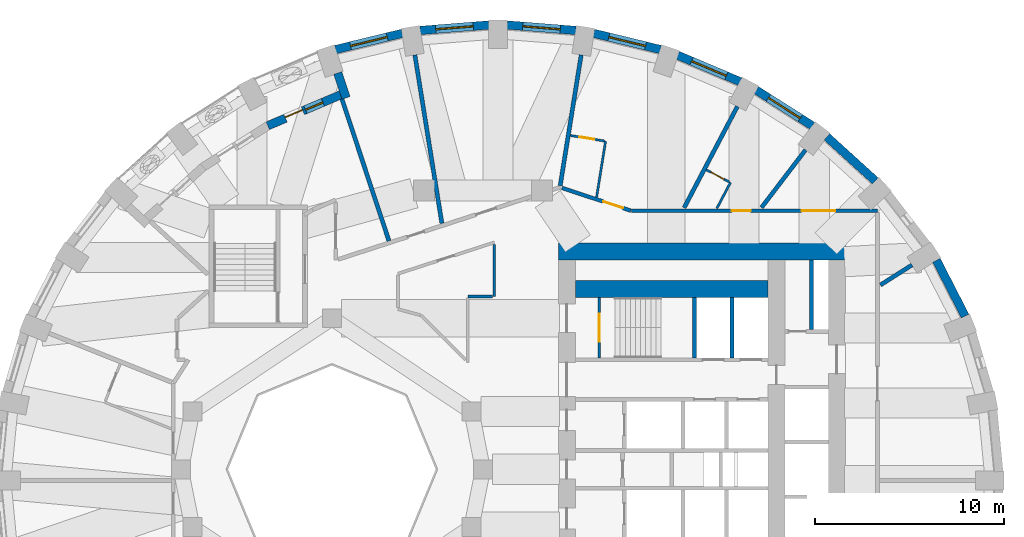
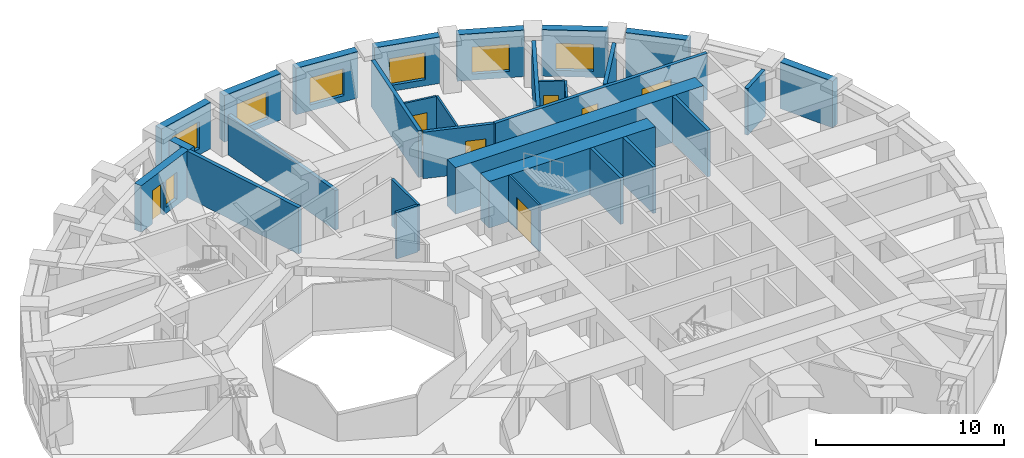
# One storey, part 8 of 12: 30 walls, 7 doors, 7 windows, 14 openings.
"""IFC4 building model written with IfcOpenShell, lengths in metres."""

from ifc_helpers import new_model, si_unit, direction, frame, frame_2d, origin, place, context, subcontext, project, spatial, rectangle, extrude, material, layer, layer_set, type_object, element, fill, save


model = new_model("IFC4")

# Units and contexts
model_context = context("Model", 3, precision=1e-05, world=origin(), true_north=direction((0.0, 1.0)))
body_context = subcontext(model_context, "Body", "Model", "MODEL_VIEW")
ifc_project = project(units=[si_unit("LENGTHUNIT", "METRE"), si_unit("AREAUNIT", "SQUARE_METRE"), si_unit("VOLUMEUNIT", "CUBIC_METRE"), si_unit("PLANEANGLEUNIT", "RADIAN"), si_unit("MASSUNIT", "GRAM", prefix="KILO")], contexts=[model_context])

# Site, building, storey
site_placement = place(None, origin())
site = spatial("IfcSite", under=ifc_project, at=site_placement, CompositionType="ELEMENT")
building_placement = place(site_placement, origin())
building = spatial("IfcBuilding", under=site, at=building_placement, Name="Taillehof Tower", CompositionType="ELEMENT")
storey_placement = place(building_placement, frame((0.0, 0.0, 118.60009765625)))
storey = spatial("IfcBuildingStorey", under=building, at=storey_placement, Name="L33", CompositionType="ELEMENT", Elevation=118.60009765625)

# Walls
ifc_material_1 = material(Name="Brick masonry", Category="masonry")
ifc_layer_1 = layer(ifc_material_1, 0.449951171875)
ifc_layer_set_1 = layer_set([ifc_layer_1], Name="Brick infill wall 450")
wall_type_1 = type_object("IfcWallType", Name="Brick infill wall 450", PredefinedType="SOLIDWALL", material=ifc_layer_set_1)
wall_1_placement = place(storey_placement, frame((25.545166015625, 8.1123046875, 0.0), z_axis=(0.0, 0.0, 1.0), x_axis=(-0.456828186229, 0.889554949549, 0.0)))
element("IfcWall", 1, at=wall_1_placement, inside=storey, type_object=wall_type_1, Name="Brick wall L33 bay 3", PredefinedType="SOLIDWALL", context=body_context, shape_type="SweptSolid", body=[
    extrude(rectangle(XDim=3.332763671875, YDim=0.449951171875, at=frame_2d((1.66650390625, 0.0))), origin(), (0.0, 0.0, 1.0), 3.02001953125),
])
wall_2_placement = place(storey_placement, frame((20.783935546875, 15.281005859375, 0.0), z_axis=(0.0, 0.0, 1.0), x_axis=(-0.74032902847, 0.672244694739, 0.0)))
element("IfcWall", 2, at=wall_2_placement, inside=storey, type_object=wall_type_1, Name="Brick wall L33 bay 5", PredefinedType="SOLIDWALL", context=body_context, shape_type="SweptSolid", body=[
    extrude(rectangle(XDim=3.4638671875, YDim=0.449951171875, at=frame_2d((1.73193359375, 0.0))), origin(), (0.0, 0.0, 1.0), 3.02001953125),
])

# Wall, opening, window
wall_3_placement = place(storey_placement, frame((17.456298828125, 18.19189453125, 0.0), z_axis=(0.0, 0.0, 1.0), x_axis=(-0.843880549131, 0.536531097699, 0.0)))
wall_3 = element("IfcWall", 3, at=wall_3_placement, inside=storey, type_object=wall_type_1, Name="Brick wall L33 bay 6", PredefinedType="SOLIDWALL", context=body_context, shape_type="SweptSolid", body=[
    extrude(rectangle(XDim=3.532470703125, YDim=0.449951171875, at=frame_2d((1.76611328125, 0.0))), origin(), (0.0, 0.0, 1.0), 3.02001953125),
])
opening_1_placement = place(wall_3_placement, frame((0.76611328125, 0.0, 0.39990234375)))
opening_1 = element("IfcOpeningElement", 4, at=opening_1_placement, cuts=wall_3, Name="Opening W2", PredefinedType="OPENING", context=body_context, shape_type="SweptSolid", body=[
    extrude(rectangle(XDim=2.0, YDim=1.75, at=frame_2d((1.0, 0.875))), frame((0.0, 0.23486328125, 0.0), z_axis=(0.0, -1.0, 0.0), x_axis=(1.0, 0.0, 0.0)), (0.0, 0.0, 1.0), 0.469970703125),
])
ifc_material_2 = material(Name="Aluminium window frame with clear double glazing", Category="aluminium")
window_type_1 = type_object("IfcWindowType", Name="Deep-set window 2000x1750", PartitioningType="SINGLE_PANEL", PredefinedType="WINDOW", material=ifc_material_2)
window_1_placement = place(opening_1_placement, origin())
window_1 = element("IfcWindow", 5, at=window_1_placement, inside=storey, type_object=window_type_1, Name="W2", OverallHeight=1.75, OverallWidth=2.0, PartitioningType="SINGLE_PANEL", PredefinedType="WINDOW", context=body_context, shape_type="SweptSolid", body=[
    extrude(rectangle(XDim=2.0, YDim=1.75, at=frame_2d((1.0, 0.875))), frame((0.0, 0.034912109375, 0.0), z_axis=(0.0, -1.0, 0.0), x_axis=(1.0, 0.0, 0.0)), (0.0, 0.0, 1.0), 0.06005859375),
])
fill(opening_1, window_1)

wall_4_placement = place(storey_placement, frame((13.625244140625, 20.533447265625, 0.0), z_axis=(0.0, 0.0, 1.0), x_axis=(-0.920869643542, 0.389870619055, 0.0)))
wall_4 = element("IfcWall", 6, at=wall_4_placement, inside=storey, type_object=wall_type_1, Name="Brick wall L33 bay 7", PredefinedType="SOLIDWALL", context=body_context, shape_type="SweptSolid", body=[
    extrude(rectangle(XDim=3.59130859375, YDim=0.449951171875, at=frame_2d((1.795654296875, 0.0))), origin(), (0.0, 0.0, 1.0), 3.02001953125),
])
opening_2_placement = place(wall_4_placement, frame((0.795654296875, 0.0, 0.39990234375)))
opening_2 = element("IfcOpeningElement", 7, at=opening_2_placement, cuts=wall_4, Name="Opening W2", PredefinedType="OPENING", context=body_context, shape_type="SweptSolid", body=[
    extrude(rectangle(XDim=2.0, YDim=1.75, at=frame_2d((1.0, 0.875))), frame((0.0, 0.23486328125, 0.0), z_axis=(0.0, -1.0, 0.0), x_axis=(1.0, 0.0, 0.0)), (0.0, 0.0, 1.0), 0.469970703125),
])
window_2_placement = place(opening_2_placement, origin())
window_2 = element("IfcWindow", 8, at=window_2_placement, inside=storey, type_object=window_type_1, Name="W2", OverallHeight=1.75, OverallWidth=2.0, PartitioningType="SINGLE_PANEL", PredefinedType="WINDOW", context=body_context, shape_type="SweptSolid", body=[
    extrude(rectangle(XDim=2.0, YDim=1.75, at=frame_2d((1.0, 0.875))), frame((0.0, 0.034912109375, 0.0), z_axis=(0.0, -1.0, 0.0), x_axis=(1.0, 0.0, 0.0)), (0.0, 0.0, 1.0), 0.06005859375),
])
fill(opening_2, window_2)

wall_5_placement = place(storey_placement, frame((9.406494140625, 22.2353515625, 0.0), z_axis=(0.0, 0.0, 1.0), x_axis=(-0.971667603162, 0.236351579148, 0.0)))
wall_5 = element("IfcWall", 9, at=wall_5_placement, inside=storey, type_object=wall_type_1, Name="Brick wall L33 bay 8", PredefinedType="SOLIDWALL", context=body_context, shape_type="SweptSolid", body=[
    extrude(rectangle(XDim=3.635009765625, YDim=0.449951171875, at=frame_2d((1.8173828125, 0.0))), origin(), (0.0, 0.0, 1.0), 3.02001953125),
])
opening_3_placement = place(wall_5_placement, frame((0.8173828125, 0.0, 0.39990234375)))
opening_3 = element("IfcOpeningElement", 10, at=opening_3_placement, cuts=wall_5, Name="Opening W2", PredefinedType="OPENING", context=body_context, shape_type="SweptSolid", body=[
    extrude(rectangle(XDim=2.0, YDim=1.75, at=frame_2d((1.0, 0.875))), frame((0.0, 0.23486328125, 0.0), z_axis=(0.0, -1.0, 0.0), x_axis=(1.0, 0.0, 0.0)), (0.0, 0.0, 1.0), 0.469970703125),
])
window_3_placement = place(opening_3_placement, origin())
window_3 = element("IfcWindow", 11, at=window_3_placement, inside=storey, type_object=window_type_1, Name="W2", OverallHeight=1.75, OverallWidth=2.0, PartitioningType="SINGLE_PANEL", PredefinedType="WINDOW", context=body_context, shape_type="SweptSolid", body=[
    extrude(rectangle(XDim=2.0, YDim=1.75, at=frame_2d((1.0, 0.875))), frame((0.0, 0.034912109375, 0.0), z_axis=(0.0, -1.0, 0.0), x_axis=(1.0, 0.0, 0.0)), (0.0, 0.0, 1.0), 0.06005859375),
])
fill(opening_3, window_3)

wall_6_placement = place(storey_placement, frame((4.926513671875, 23.24658203125, 0.0), z_axis=(0.0, 0.0, 1.0), x_axis=(-0.996862216754, 0.079156306178, 0.0)))
wall_6 = element("IfcWall", 12, at=wall_6_placement, inside=storey, type_object=wall_type_1, Name="Brick wall L33 bay 9", PredefinedType="SOLIDWALL", context=body_context, shape_type="SweptSolid", body=[
    extrude(rectangle(XDim=3.657958984375, YDim=0.449951171875, at=frame_2d((1.8291015625, 0.0))), origin(), (0.0, 0.0, 1.0), 3.02001953125),
])
opening_4_placement = place(wall_6_placement, frame((0.8291015625, 0.0, 0.39990234375)))
opening_4 = element("IfcOpeningElement", 13, at=opening_4_placement, cuts=wall_6, Name="Opening W2", PredefinedType="OPENING", context=body_context, shape_type="SweptSolid", body=[
    extrude(rectangle(XDim=2.0, YDim=1.75, at=frame_2d((1.0, 0.875))), frame((0.0, 0.23486328125, 0.0), z_axis=(0.0, -1.0, 0.0), x_axis=(1.0, 0.0, 0.0)), (0.0, 0.0, 1.0), 0.469970703125),
])
window_4_placement = place(opening_4_placement, origin())
window_4 = element("IfcWindow", 14, at=window_4_placement, inside=storey, type_object=window_type_1, Name="W2", OverallHeight=1.75, OverallWidth=2.0, PartitioningType="SINGLE_PANEL", PredefinedType="WINDOW", context=body_context, shape_type="SweptSolid", body=[
    extrude(rectangle(XDim=2.0, YDim=1.75, at=frame_2d((1.0, 0.875))), frame((0.0, 0.034912109375, 0.0), z_axis=(0.0, -1.0, 0.0), x_axis=(1.0, 0.0, 0.0)), (0.0, 0.0, 1.0), 0.06005859375),
])
fill(opening_4, window_4)

wall_7_placement = place(storey_placement, frame((0.31982421875, 23.5361328125, 0.0), z_axis=(0.0, 0.0, 1.0), x_axis=(-0.996862216754, -0.079156306178, 0.0)))
wall_7 = element("IfcWall", 15, at=wall_7_placement, inside=storey, type_object=wall_type_1, Name="Brick wall L33 bay 10", PredefinedType="SOLIDWALL", context=body_context, shape_type="SweptSolid", body=[
    extrude(rectangle(XDim=3.657958984375, YDim=0.449951171875, at=frame_2d((1.8291015625, 0.0))), origin(), (0.0, 0.0, 1.0), 3.02001953125),
])
opening_5_placement = place(wall_7_placement, frame((0.8291015625, 0.0, 0.39990234375)))
opening_5 = element("IfcOpeningElement", 16, at=opening_5_placement, cuts=wall_7, Name="Opening W2", PredefinedType="OPENING", context=body_context, shape_type="SweptSolid", body=[
    extrude(rectangle(XDim=2.0, YDim=1.75, at=frame_2d((1.0, 0.875))), frame((0.0, 0.23486328125, 0.0), z_axis=(0.0, -1.0, 0.0), x_axis=(1.0, 0.0, 0.0)), (0.0, 0.0, 1.0), 0.469970703125),
])
window_5_placement = place(opening_5_placement, origin())
window_5 = element("IfcWindow", 17, at=window_5_placement, inside=storey, type_object=window_type_1, Name="W2", OverallHeight=1.75, OverallWidth=2.0, PartitioningType="SINGLE_PANEL", PredefinedType="WINDOW", context=body_context, shape_type="SweptSolid", body=[
    extrude(rectangle(XDim=2.0, YDim=1.75, at=frame_2d((1.0, 0.875))), frame((0.0, 0.034912109375, 0.0), z_axis=(0.0, -1.0, 0.0), x_axis=(1.0, 0.0, 0.0)), (0.0, 0.0, 1.0), 0.06005859375),
])
fill(opening_5, window_5)

wall_8_placement = place(storey_placement, frame((-4.274658203125, 23.094482421875, 0.0), z_axis=(0.0, 0.0, 1.0), x_axis=(-0.971667603162, -0.236351579148, 0.0)))
wall_8 = element("IfcWall", 18, at=wall_8_placement, inside=storey, type_object=wall_type_1, Name="Brick wall L33 bay 11", PredefinedType="SOLIDWALL", context=body_context, shape_type="SweptSolid", body=[
    extrude(rectangle(XDim=3.635009765625, YDim=0.449951171875, at=frame_2d((1.8173828125, 0.0))), origin(), (0.0, 0.0, 1.0), 3.02001953125),
])
opening_6_placement = place(wall_8_placement, frame((0.8173828125, 0.0, 0.39990234375)))
opening_6 = element("IfcOpeningElement", 19, at=opening_6_placement, cuts=wall_8, Name="Opening W2", PredefinedType="OPENING", context=body_context, shape_type="SweptSolid", body=[
    extrude(rectangle(XDim=2.0, YDim=1.75, at=frame_2d((1.0, 0.875))), frame((0.0, 0.23486328125, 0.0), z_axis=(0.0, -1.0, 0.0), x_axis=(1.0, 0.0, 0.0)), (0.0, 0.0, 1.0), 0.469970703125),
])
window_6_placement = place(opening_6_placement, origin())
window_6 = element("IfcWindow", 20, at=window_6_placement, inside=storey, type_object=window_type_1, Name="W2", OverallHeight=1.75, OverallWidth=2.0, PartitioningType="SINGLE_PANEL", PredefinedType="WINDOW", context=body_context, shape_type="SweptSolid", body=[
    extrude(rectangle(XDim=2.0, YDim=1.75, at=frame_2d((1.0, 0.875))), frame((0.0, 0.034912109375, 0.0), z_axis=(0.0, -1.0, 0.0), x_axis=(1.0, 0.0, 0.0)), (0.0, 0.0, 1.0), 0.06005859375),
])
fill(opening_6, window_6)

# Wall
wall_9_placement = place(storey_placement, frame((-7.68701171875, 20.99462890625, 0.0), z_axis=(0.0, 0.0, 1.0), x_axis=(0.314541283205, -0.949243794375, 0.0)))
element("IfcWall", 21, at=wall_9_placement, inside=storey, type_object=wall_type_1, Name="Brick reveal L33 pocket 3", PredefinedType="SOLIDWALL", context=body_context, shape_type="SweptSolid", body=[
    extrude(rectangle(XDim=1.39013671875, YDim=0.449951171875, at=frame_2d((0.695068359375, 0.0))), origin(), (0.0, 0.0, 1.0), 3.02001953125),
])

# Wall, openings, door, window
wall_10_placement = place(storey_placement, frame((-7.540283203125, 19.8359375, 0.0), z_axis=(0.0, 0.0, 1.0), x_axis=(-0.920502375708, -0.390736965637, 0.0)))
wall_10 = element("IfcWall", 22, at=wall_10_placement, inside=storey, type_object=wall_type_1, Name="Brick wall L33 pocket bay 12", PredefinedType="SOLIDWALL", context=body_context, shape_type="SweptSolid", body=[
    extrude(rectangle(XDim=4.188232421875, YDim=0.449951171875, at=frame_2d((2.09423828125, 0.0))), origin(), (0.0, 0.0, 1.0), 3.02001953125),
])
opening_7_placement = place(wall_10_placement, frame((1.01904296875, 0.0, 0.39990234375)))
opening_7 = element("IfcOpeningElement", 23, at=opening_7_placement, cuts=wall_10, Name="Opening W5", PredefinedType="OPENING", context=body_context, shape_type="SweptSolid", body=[
    extrude(rectangle(XDim=1.0, YDim=1.75, at=frame_2d((0.5, 0.875))), frame((0.0, 0.23486328125, 0.0), z_axis=(0.0, -1.0, 0.0), x_axis=(1.0, 0.0, 0.0)), (0.0, 0.0, 1.0), 0.469970703125),
])
opening_8_placement = place(wall_10_placement, frame((2.169189453125, 0.0, 0.0)))
opening_8 = element("IfcOpeningElement", 24, at=opening_8_placement, cuts=wall_10, Name="Opening D3394", PredefinedType="OPENING", context=body_context, shape_type="SweptSolid", body=[
    extrude(rectangle(XDim=1.0, YDim=2.14990234375, at=frame_2d((0.5, 1.074951171875))), frame((0.0, 0.23486328125, 0.0), z_axis=(0.0, -1.0, 0.0), x_axis=(1.0, 0.0, 0.0)), (0.0, 0.0, 1.0), 0.469970703125),
])
ifc_material_3 = material(Name="Aluminium door frame with clear double glazing", Category="aluminium")
door_type_1 = type_object("IfcDoorType", Name="Balcony door 1000x2150", OperationType="SINGLE_SWING_RIGHT", PredefinedType="DOOR", material=ifc_material_3)
door_1_placement = place(opening_8_placement, frame((1.0, 0.0, 0.0), z_axis=(0.0, 0.0, 1.0), x_axis=(-1.0, 0.0, 0.0)))
door_1 = element("IfcDoor", 25, at=door_1_placement, inside=storey, type_object=door_type_1, Name="Balcony door L33 bay 12", OperationType="SINGLE_SWING_RIGHT", OverallHeight=2.14990234375, OverallWidth=1.0, PredefinedType="DOOR", context=body_context, shape_type="SweptSolid", body=[
    extrude(rectangle(XDim=1.0, YDim=2.14990234375, at=frame_2d((0.5, 1.074951171875))), frame((0.0, 0.0751953125, 0.0), z_axis=(0.0, -1.0, 0.0), x_axis=(1.0, 0.0, 0.0)), (0.0, 0.0, 1.0), 0.050048828125),
])
fill(opening_8, door_1)
ifc_material_4 = material(Name="Aluminium window frame with clear double glazing", Category="aluminium")
window_type_2 = type_object("IfcWindowType", Name="Fixed window 1000x1750", PartitioningType="SINGLE_PANEL", PredefinedType="WINDOW", material=ifc_material_4)
window_7_placement = place(opening_7_placement, origin())
window_7 = element("IfcWindow", 26, at=window_7_placement, inside=storey, type_object=window_type_2, Name="W5", OverallHeight=1.75, OverallWidth=1.0, PartitioningType="SINGLE_PANEL", PredefinedType="WINDOW", context=body_context, shape_type="SweptSolid", body=[
    extrude(rectangle(XDim=1.0, YDim=1.75, at=frame_2d((0.5, 0.875))), frame((0.0, 0.034912109375, 0.0), z_axis=(0.0, -1.0, 0.0), x_axis=(1.0, 0.0, 0.0)), (0.0, 0.0, 1.0), 0.06005859375),
])
fill(opening_7, window_7)

# Wall
ifc_material_5 = material(Name="Calcium silicate masonry", Category="masonry")
ifc_layer_2 = layer(ifc_material_5, 0.199951171875)
ifc_layer_set_2 = layer_set([ifc_layer_2], Name="Compartment wall calcium silicate 200")
wall_type_2 = type_object("IfcWallType", Name="Compartment wall calcium silicate 200", PredefinedType="PARTITIONING", material=ifc_layer_set_2)
wall_11_placement = place(storey_placement, frame((17.39990234375, 7.39990234375, 0.0), z_axis=(0.0, 0.0, 1.0), x_axis=(0.0, 1.0, 0.0)))
element("IfcWall", 27, at=wall_11_placement, inside=storey, type_object=wall_type_2, Name="Compartment wall FW", PredefinedType="PARTITIONING", context=body_context, shape_type="SweptSolid", body=[
    extrude(rectangle(XDim=3.7001953125, YDim=0.199951171875, at=frame_2d((1.85009765625, 0.0))), origin(), (0.0, 0.0, 1.0), 3.02001953125),
])

# Wall, opening, door
ifc_material_6 = material(Name="Gypsum board on steel studs, two layers each side", Category="steel")
ifc_layer_3 = layer(ifc_material_6, 0.199951171875)
ifc_layer_set_3 = layer_set([ifc_layer_3], Name="Compartment wall corridor 200")
wall_type_3 = type_object("IfcWallType", Name="Compartment wall corridor 200", PredefinedType="PARTITIONING", material=ifc_layer_set_3)
wall_12_placement = place(storey_placement, frame((4.185791015625, 14.90625, 0.0), z_axis=(0.0, 0.0, 1.0), x_axis=(0.94947428881, -0.313844826131, 0.0)))
wall_12 = element("IfcWall", 28, at=wall_12_placement, inside=storey, type_object=wall_type_3, Name="Compartment wall", PredefinedType="PARTITIONING", context=body_context, shape_type="SweptSolid", body=[
    extrude(rectangle(XDim=3.843505859375, YDim=0.199951171875, at=frame_2d((1.921875, 0.0))), origin(), (0.0, 0.0, 1.0), 3.02001953125),
])
opening_9_placement = place(wall_12_placement, frame((2.29833984375, 0.0, 0.0)))
opening_9 = element("IfcOpeningElement", 29, at=opening_9_placement, cuts=wall_12, Name="Opening D3342", PredefinedType="OPENING", context=body_context, shape_type="SweptSolid", body=[
    extrude(rectangle(XDim=1.10009765625, YDim=2.10009765625, at=frame_2d((0.550048828125, 1.050048828125))), frame((0.0, 0.10986328125, 0.0), z_axis=(0.0, -1.0, 0.0), x_axis=(1.0, 0.0, 0.0)), (0.0, 0.0, 1.0), 0.219970703125),
])
ifc_material_7 = material(Name="Timber door leaf in steel frame", Category="steel")
door_type_2 = type_object("IfcDoorType", Name="Suite entrance door EI 30 1100 x 2100", OperationType="SINGLE_SWING_LEFT", PredefinedType="DOOR", material=ifc_material_7)
door_2_placement = place(opening_9_placement, origin())
door_2 = element("IfcDoor", 30, at=door_2_placement, inside=storey, type_object=door_type_2, Name="D3342", OperationType="SINGLE_SWING_LEFT", OverallHeight=2.10009765625, OverallWidth=1.10009765625, PredefinedType="DOOR", context=body_context, shape_type="SweptSolid", body=[
    extrude(rectangle(XDim=1.10009765625, YDim=2.10009765625, at=frame_2d((0.550048828125, 1.050048828125))), frame((0.0, 0.02490234375, 0.0), z_axis=(0.0, -1.0, 0.0), x_axis=(1.0, 0.0, 0.0)), (0.0, 0.0, 1.0), 0.050048828125),
])
fill(opening_9, door_2)

# Wall, openings, doors
wall_13_placement = place(storey_placement, frame((7.875244140625, 13.699951171875, 0.0), z_axis=(0.0, 0.0, 1.0), x_axis=(1.0, 0.0, 0.0)))
wall_13 = element("IfcWall", 31, at=wall_13_placement, inside=storey, type_object=wall_type_3, Name="Compartment wall", PredefinedType="PARTITIONING", context=body_context, shape_type="SweptSolid", body=[
    extrude(rectangle(XDim=13.024658203125, YDim=0.199951171875, at=frame_2d((6.51220703125, 0.0))), origin(), (0.0, 0.0, 1.0), 3.02001953125),
])
opening_10_placement = place(wall_13_placement, frame((5.310546875, 0.0, 0.0)))
opening_10 = element("IfcOpeningElement", 32, at=opening_10_placement, cuts=wall_13, Name="Opening D3340", PredefinedType="OPENING", context=body_context, shape_type="SweptSolid", body=[
    extrude(rectangle(XDim=1.0, YDim=2.10009765625, at=frame_2d((0.5, 1.050048828125))), frame((0.0, 0.10986328125, 0.0), z_axis=(0.0, -1.0, 0.0), x_axis=(1.0, 0.0, 0.0)), (0.0, 0.0, 1.0), 0.219970703125),
])
opening_11_placement = place(wall_13_placement, frame((8.999755859375, 0.0, 0.0)))
opening_11 = element("IfcOpeningElement", 33, at=opening_11_placement, cuts=wall_13, Name="Opening D3365", PredefinedType="OPENING", context=body_context, shape_type="SweptSolid", body=[
    extrude(rectangle(XDim=1.800048828125, YDim=2.10009765625, at=frame_2d((0.89990234375, 1.050048828125))), frame((0.0, 0.10986328125, 0.0), z_axis=(0.0, -1.0, 0.0), x_axis=(1.0, 0.0, 0.0)), (0.0, 0.0, 1.0), 0.219970703125),
])
ifc_material_8 = material(Name="Timber door leaf in steel frame", Category="steel")
door_type_3 = type_object("IfcDoorType", Name="Guest room door EI 30 1000 x 2100", OperationType="SINGLE_SWING_LEFT", PredefinedType="DOOR", material=ifc_material_8)
door_3_placement = place(opening_10_placement, origin())
door_3 = element("IfcDoor", 34, at=door_3_placement, inside=storey, type_object=door_type_3, Name="D3340", OperationType="SINGLE_SWING_RIGHT", OverallHeight=2.10009765625, OverallWidth=1.0, PredefinedType="DOOR", context=body_context, shape_type="SweptSolid", body=[
    extrude(rectangle(XDim=1.0, YDim=2.10009765625, at=frame_2d((0.5, 1.050048828125))), frame((0.0, 0.02490234375, 0.0), z_axis=(0.0, -1.0, 0.0), x_axis=(1.0, 0.0, 0.0)), (0.0, 0.0, 1.0), 0.050048828125),
])
fill(opening_10, door_3)
ifc_material_9 = material(Name="Timber door leaf in steel frame", Category="steel")
door_type_4 = type_object("IfcDoorType", Name="Lounge and meeting room double door EI 30 1800 x 2100", OperationType="SINGLE_SWING_LEFT", PredefinedType="DOOR", material=ifc_material_9)
door_4_placement = place(opening_11_placement, origin())
door_4 = element("IfcDoor", 35, at=door_4_placement, inside=storey, type_object=door_type_4, Name="D3365", OperationType="DOUBLE_DOOR_SINGLE_SWING", OverallHeight=2.10009765625, OverallWidth=1.800048828125, PredefinedType="DOOR", context=body_context, shape_type="SweptSolid", body=[
    extrude(rectangle(XDim=1.800048828125, YDim=2.10009765625, at=frame_2d((0.89990234375, 1.050048828125))), frame((0.0, 0.02490234375, 0.0), z_axis=(0.0, -1.0, 0.0), x_axis=(1.0, 0.0, 0.0)), (0.0, 0.0, 1.0), 0.050048828125),
])
fill(opening_11, door_4)

# Walls
ifc_material_10 = material(Name="Gypsum board on double steel studs with mineral wool", Category="steel")
ifc_layer_4 = layer(ifc_material_10, 0.219970703125)
ifc_layer_set_4 = layer_set([ifc_layer_4], Name="Compartment wall guest room 220")
wall_type_4 = type_object("IfcWallType", Name="Compartment wall guest room 220", PredefinedType="PARTITIONING", material=ifc_layer_set_4)
wall_14_placement = place(storey_placement, frame((22.7265625, 10.8232421875, 0.0), z_axis=(0.0, 0.0, 1.0), x_axis=(-0.844587282199, -0.535417895431, 0.0)))
element("IfcWall", 36, at=wall_14_placement, inside=storey, type_object=wall_type_4, Name="Compartment wall", PredefinedType="PARTITIONING", context=body_context, shape_type="SweptSolid", body=[
    extrude(rectangle(XDim=1.984375, YDim=0.219970703125, at=frame_2d((0.9921875, 0.0))), origin(), (0.0, 0.0, 1.0), 3.02001953125),
])
wall_15_placement = place(storey_placement, frame((17.08935546875, 16.9208984375, 0.0), z_axis=(0.0, 0.0, 1.0), x_axis=(-0.607033117359, -0.794676534465, 0.0)))
element("IfcWall", 37, at=wall_15_placement, inside=storey, type_object=wall_type_4, Name="Compartment wall", PredefinedType="PARTITIONING", context=body_context, shape_type="SweptSolid", body=[
    extrude(rectangle(XDim=3.847412109375, YDim=0.219970703125, at=frame_2d((1.923828125, 0.0))), origin(), (0.0, 0.0, 1.0), 3.02001953125),
])
wall_16_placement = place(storey_placement, frame((13.47607421875, 19.217529296875, 0.0), z_axis=(0.0, 0.0, 1.0), x_axis=(-0.465346231977, -0.885128738876, 0.0)))
element("IfcWall", 38, at=wall_16_placement, inside=storey, type_object=wall_type_4, Name="Compartment wall", PredefinedType="PARTITIONING", context=body_context, shape_type="SweptSolid", body=[
    extrude(rectangle(XDim=6.06005859375, YDim=0.219970703125, at=frame_2d((3.030029296875, 0.0))), origin(), (0.0, 0.0, 1.0), 3.02001953125),
])
wall_17_placement = place(storey_placement, frame((5.20458984375, 21.9501953125, 0.0), z_axis=(0.0, 0.0, 1.0), x_axis=(-0.158500652659, -0.987358872501, 0.0)))
element("IfcWall", 39, at=wall_17_placement, inside=storey, type_object=wall_type_4, Name="Compartment wall", PredefinedType="PARTITIONING", context=body_context, shape_type="SweptSolid", body=[
    extrude(rectangle(XDim=7.017578125, YDim=0.219970703125, at=frame_2d((3.5087890625, 0.0))), origin(), (0.0, 0.0, 1.0), 3.02001953125),
])
wall_18_placement = place(storey_placement, frame((-3.604736328125, 21.9501953125, 0.0), z_axis=(0.0, 0.0, 1.0), x_axis=(0.158519564718, -0.987355836364, 0.0)))
element("IfcWall", 40, at=wall_18_placement, inside=storey, type_object=wall_type_4, Name="Compartment wall", PredefinedType="PARTITIONING", context=body_context, shape_type="SweptSolid", body=[
    extrude(rectangle(XDim=9.034423828125, YDim=0.219970703125, at=frame_2d((4.51708984375, 0.0))), origin(), (0.0, 0.0, 1.0), 2.56982421875),
])
wall_19_placement = place(storey_placement, frame((-7.46923828125, 19.621826171875, 0.0), z_axis=(0.0, 0.0, 1.0), x_axis=(0.314545340174, -0.949242450049, 0.0)))
element("IfcWall", 41, at=wall_19_placement, inside=storey, type_object=wall_type_4, Name="Compartment wall", PredefinedType="PARTITIONING", context=body_context, shape_type="SweptSolid", body=[
    extrude(rectangle(XDim=7.925537109375, YDim=0.219970703125, at=frame_2d((3.962890625, 0.0))), origin(), (0.0, 0.0, 1.0), 3.02001953125),
])
ifc_material_11 = material(Name="Gypsum board on steel studs, two layers each side", Category="steel")
ifc_layer_5 = layer(ifc_material_11, 0.14990234375)
ifc_layer_set_5 = layer_set([ifc_layer_5], Name="Compartment wall service room 150")
wall_type_5 = type_object("IfcWallType", Name="Compartment wall service room 150", PredefinedType="PARTITIONING", material=ifc_layer_set_5)
wall_20_placement = place(storey_placement, frame((0.60009765625, 11.9169921875, 0.0), z_axis=(0.0, 0.0, 1.0), x_axis=(0.0, -1.0, 0.0)))
element("IfcWall", 42, at=wall_20_placement, inside=storey, type_object=wall_type_5, Name="Compartment wall", PredefinedType="PARTITIONING", context=body_context, shape_type="SweptSolid", body=[
    extrude(rectangle(XDim=2.76708984375, YDim=0.14990234375, at=frame_2d((1.383544921875, 0.0))), origin(), (0.0, 0.0, 1.0), 3.02001953125),
])
wall_21_placement = place(storey_placement, frame((0.52001953125, 9.14990234375, 0.0), z_axis=(0.0, 0.0, 1.0), x_axis=(-1.0, 0.0, 0.0)))
element("IfcWall", 43, at=wall_21_placement, inside=storey, type_object=wall_type_5, Name="Compartment wall", PredefinedType="PARTITIONING", context=body_context, shape_type="SweptSolid", body=[
    extrude(rectangle(XDim=1.320068359375, YDim=0.14990234375, at=frame_2d((0.66015625, 0.0))), origin(), (0.0, 0.0, 1.0), 3.02001953125),
])
ifc_material_12 = material(Name="Concrete C80/95", Category="concrete")
ifc_layer_6 = layer(ifc_material_12, 0.89990234375)
ifc_layer_set_6 = layer_set([ifc_layer_6], Name="Core wall C80/95 900")
wall_type_6 = type_object("IfcWallType", Name="Core wall C80/95 900", PredefinedType="SHEAR", material=ifc_layer_set_6)
wall_22_placement = place(storey_placement, frame((4.0, 11.550048828125, 0.0), z_axis=(0.0, 0.0, 1.0), x_axis=(1.0, 0.0, 0.0)))
element("IfcWall", 44, at=wall_22_placement, inside=storey, type_object=wall_type_6, Name="Core wall CW03", PredefinedType="SHEAR", context=body_context, shape_type="SweptSolid", body=[
    extrude(rectangle(XDim=15.199951171875, YDim=0.89990234375, at=frame_2d((7.60009765625, 0.0))), origin(), (0.0, 0.0, 1.0), 3.02001953125),
])
wall_23_placement = place(storey_placement, frame((4.89990234375, 9.550048828125, 0.0), z_axis=(0.0, 0.0, 1.0), x_axis=(1.0, 0.0, 0.0)))
element("IfcWall", 45, at=wall_23_placement, inside=storey, type_object=wall_type_6, Name="Core wall CW06", PredefinedType="SHEAR", context=body_context, shape_type="SweptSolid", body=[
    extrude(rectangle(XDim=10.2001953125, YDim=0.89990234375, at=frame_2d((5.10009765625, 0.0))), origin(), (0.0, 0.0, 1.0), 3.02001953125),
])
ifc_material_13 = material(Name="Gypsum board on steel studs, moisture resistant", Category="steel")
ifc_layer_7 = layer(ifc_material_13, 0.1201171875)
ifc_layer_set_7 = layer_set([ifc_layer_7], Name="En-suite wall 120")
wall_type_7 = type_object("IfcWallType", Name="En-suite wall 120", PredefinedType="PARTITIONING", material=ifc_layer_set_7)
wall_24_placement = place(storey_placement, frame((12.388671875, 13.81787109375, 0.0), z_axis=(0.0, 0.0, 1.0), x_axis=(0.465305514099, 0.885150144636, 0.0)))
element("IfcWall", 46, at=wall_24_placement, inside=storey, type_object=wall_type_7, Name="En-suite wall", PredefinedType="PARTITIONING", context=body_context, shape_type="SweptSolid", body=[
    extrude(rectangle(XDim=1.552001953125, YDim=0.1201171875, at=frame_2d((0.77587890625, 0.0))), origin(), (0.0, 0.0, 1.0), 3.02001953125),
])
wall_25_placement = place(storey_placement, frame((6.01904296875, 14.40576171875, 0.0), z_axis=(0.0, 0.0, 1.0), x_axis=(0.158524395275, 0.987355060808, 0.0)))
element("IfcWall", 47, at=wall_25_placement, inside=storey, type_object=wall_type_7, Name="En-suite wall", PredefinedType="PARTITIONING", context=body_context, shape_type="SweptSolid", body=[
    extrude(rectangle(XDim=3.013916015625, YDim=0.1201171875, at=frame_2d((1.5068359375, 0.0))), origin(), (0.0, 0.0, 1.0), 3.02001953125),
])

# Wall, opening, door
wall_26_placement = place(storey_placement, frame((13.057373046875, 15.219482421875, 0.0), z_axis=(0.0, 0.0, 1.0), x_axis=(-0.885071735195, 0.465454641784, 0.0)))
wall_26 = element("IfcWall", 48, at=wall_26_placement, inside=storey, type_object=wall_type_7, Name="En-suite wall", PredefinedType="PARTITIONING", context=body_context, shape_type="SweptSolid", body=[
    extrude(rectangle(XDim=1.37939453125, YDim=0.1201171875, at=frame_2d((0.689697265625, 0.0))), origin(), (0.0, 0.0, 1.0), 3.02001953125),
])
opening_12_placement = place(wall_26_placement, frame((0.314697265625, 0.0, 0.0)))
opening_12 = element("IfcOpeningElement", 49, at=opening_12_placement, cuts=wall_26, Name="Opening D3341", PredefinedType="OPENING", context=body_context, shape_type="SweptSolid", body=[
    extrude(rectangle(XDim=0.800048828125, YDim=2.10009765625, at=frame_2d((0.39990234375, 1.050048828125))), frame((0.0, 0.070068359375, 0.0), z_axis=(0.0, -1.0, 0.0), x_axis=(1.0, 0.0, 0.0)), (0.0, 0.0, 1.0), 0.14013671875),
])
ifc_material_14 = material(Name="Timber door leaf in steel frame", Category="steel")
door_type_5 = type_object("IfcDoorType", Name="En-suite door 800 x 2100", OperationType="SINGLE_SWING_LEFT", PredefinedType="DOOR", material=ifc_material_14)
door_5_placement = place(opening_12_placement, origin())
door_5 = element("IfcDoor", 50, at=door_5_placement, inside=storey, type_object=door_type_5, Name="D3341", OperationType="SINGLE_SWING_LEFT", OverallHeight=2.10009765625, OverallWidth=0.800048828125, PredefinedType="DOOR", context=body_context, shape_type="SweptSolid", body=[
    extrude(rectangle(XDim=0.800048828125, YDim=2.10009765625, at=frame_2d((0.39990234375, 1.050048828125))), frame((0.0, 0.02490234375, 0.0), z_axis=(0.0, -1.0, 0.0), x_axis=(1.0, 0.0, 0.0)), (0.0, 0.0, 1.0), 0.050048828125),
])
fill(opening_12, door_5)

wall_27_placement = place(storey_placement, frame((6.4375, 17.39111328125, 0.0), z_axis=(0.0, 0.0, 1.0), x_axis=(-0.987336342922, 0.158640934018, 0.0)))
wall_27 = element("IfcWall", 51, at=wall_27_placement, inside=storey, type_object=wall_type_7, Name="En-suite wall", PredefinedType="PARTITIONING", context=body_context, shape_type="SweptSolid", body=[
    extrude(rectangle(XDim=1.829833984375, YDim=0.1201171875, at=frame_2d((0.9150390625, 0.0))), origin(), (0.0, 0.0, 1.0), 3.02001953125),
])
opening_13_placement = place(wall_27_placement, frame((0.539794921875, 0.0, 0.0)))
opening_13 = element("IfcOpeningElement", 52, at=opening_13_placement, cuts=wall_27, Name="Opening D3343", PredefinedType="OPENING", context=body_context, shape_type="SweptSolid", body=[
    extrude(rectangle(XDim=0.800048828125, YDim=2.10009765625, at=frame_2d((0.39990234375, 1.050048828125))), frame((0.0, 0.070068359375, 0.0), z_axis=(0.0, -1.0, 0.0), x_axis=(1.0, 0.0, 0.0)), (0.0, 0.0, 1.0), 0.14013671875),
])
door_6_placement = place(opening_13_placement, origin())
door_6 = element("IfcDoor", 53, at=door_6_placement, inside=storey, type_object=door_type_5, Name="D3343", OperationType="SINGLE_SWING_LEFT", OverallHeight=2.10009765625, OverallWidth=0.800048828125, PredefinedType="DOOR", context=body_context, shape_type="SweptSolid", body=[
    extrude(rectangle(XDim=0.800048828125, YDim=2.10009765625, at=frame_2d((0.39990234375, 1.050048828125))), frame((0.0, 0.02490234375, 0.0), z_axis=(0.0, -1.0, 0.0), x_axis=(1.0, 0.0, 0.0)), (0.0, 0.0, 1.0), 0.050048828125),
])
fill(opening_13, door_6)

# Walls
ifc_material_15 = material(Name="Concrete C50/60", Category="concrete")
ifc_layer_8 = layer(ifc_material_15, 0.199951171875)
ifc_layer_set_8 = layer_set([ifc_layer_8], Name="Shaft wall C50/60 200")
wall_type_8 = type_object("IfcWallType", Name="Shaft wall C50/60 200", PredefinedType="SHEAR", material=ifc_layer_set_8)
for number, where, z_axis, x_axis, name in (
    (54, (11.199951171875, 5.89990234375, 0.0), (0.0, 0.0, 1.0), (0.0, 1.0, 0.0), "Shaft wall SW"),
    (55, (13.199951171875, 5.89990234375, 0.0), (0.0, 0.0, 1.0), (0.0, 1.0, 0.0), "Shaft wall SW"),
):
    element("IfcWall", number, at=place(storey_placement, frame(where, z_axis=z_axis, x_axis=x_axis)), inside=storey, type_object=wall_type_8, Name=name, PredefinedType="SHEAR", context=body_context, shape_type="SweptSolid", body=[
        extrude(rectangle(XDim=3.2001953125, YDim=0.199951171875, at=frame_2d((1.60009765625, 0.0))), origin(), (0.0, 0.0, 1.0), 3.02001953125),
    ])

# Wall, opening, door
ifc_material_16 = material(Name="Concrete C50/60", Category="concrete")
ifc_layer_9 = layer(ifc_material_16, 0.1201171875)
ifc_layer_set_9 = layer_set([ifc_layer_9], Name="Stair lobby wall C50/60 120")
wall_type_9 = type_object("IfcWallType", Name="Stair lobby wall C50/60 120", PredefinedType="SHEAR", material=ifc_layer_set_9)
wall_28_placement = place(storey_placement, frame((6.159912109375, 5.89990234375, 0.0), z_axis=(0.0, 0.0, 1.0), x_axis=(0.0, 1.0, 0.0)))
wall_28 = element("IfcWall", 56, at=wall_28_placement, inside=storey, type_object=wall_type_9, Name="Compartment wall SW", PredefinedType="SHEAR", context=body_context, shape_type="SweptSolid", body=[
    extrude(rectangle(XDim=3.2001953125, YDim=0.1201171875, at=frame_2d((1.60009765625, 0.0))), origin(), (0.0, 0.0, 1.0), 3.02001953125),
])
opening_14_placement = place(wall_28_placement, frame((0.85009765625, 0.0, 0.0)))
opening_14 = element("IfcOpeningElement", 57, at=opening_14_placement, cuts=wall_28, Name="Opening D3310", PredefinedType="OPENING", context=body_context, shape_type="SweptSolid", body=[
    extrude(rectangle(XDim=1.5, YDim=2.10009765625, at=frame_2d((0.75, 1.050048828125))), frame((0.0, 0.070068359375, 0.0), z_axis=(0.0, -1.0, 0.0), x_axis=(1.0, 0.0, 0.0)), (0.0, 0.0, 1.0), 0.14013671875),
])
ifc_material_17 = material(Name="Steel-faced fire door", Category="steel")
door_type_6 = type_object("IfcDoorType", Name="Stair door 1500x2100", OperationType="DOUBLE_DOOR_SINGLE_SWING", PredefinedType="DOOR", material=ifc_material_17)
door_7_placement = place(opening_14_placement, origin())
door_7 = element("IfcDoor", 58, at=door_7_placement, inside=storey, type_object=door_type_6, Name="Stair lobby door S1", OperationType="DOUBLE_DOOR_SINGLE_SWING", OverallHeight=2.10009765625, OverallWidth=1.5, PredefinedType="DOOR", context=body_context, shape_type="SweptSolid", body=[
    extrude(rectangle(XDim=1.5, YDim=2.10009765625, at=frame_2d((0.75, 1.050048828125))), frame((0.0, 0.02490234375, 0.0), z_axis=(0.0, -1.0, 0.0), x_axis=(1.0, 0.0, 0.0)), (0.0, 0.0, 1.0), 0.050048828125),
])
fill(opening_14, door_7)

save(model, "model.ifc")
